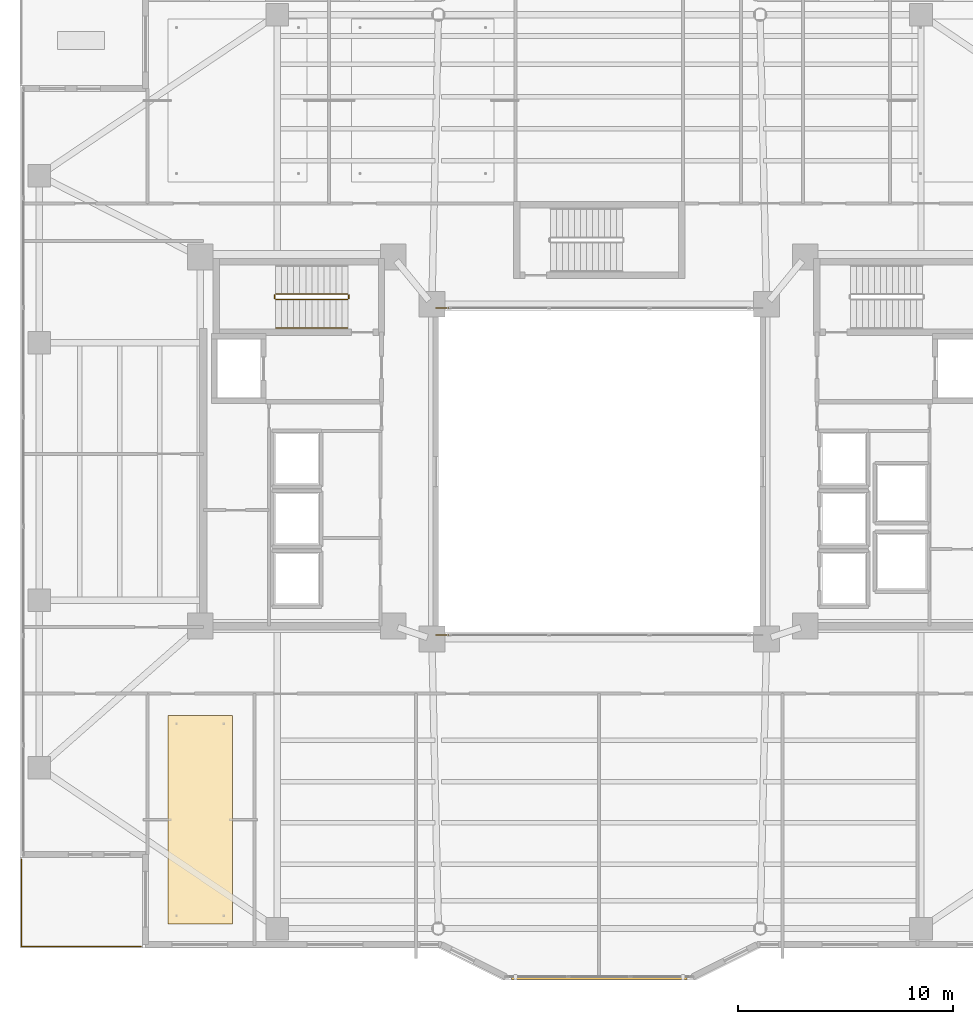
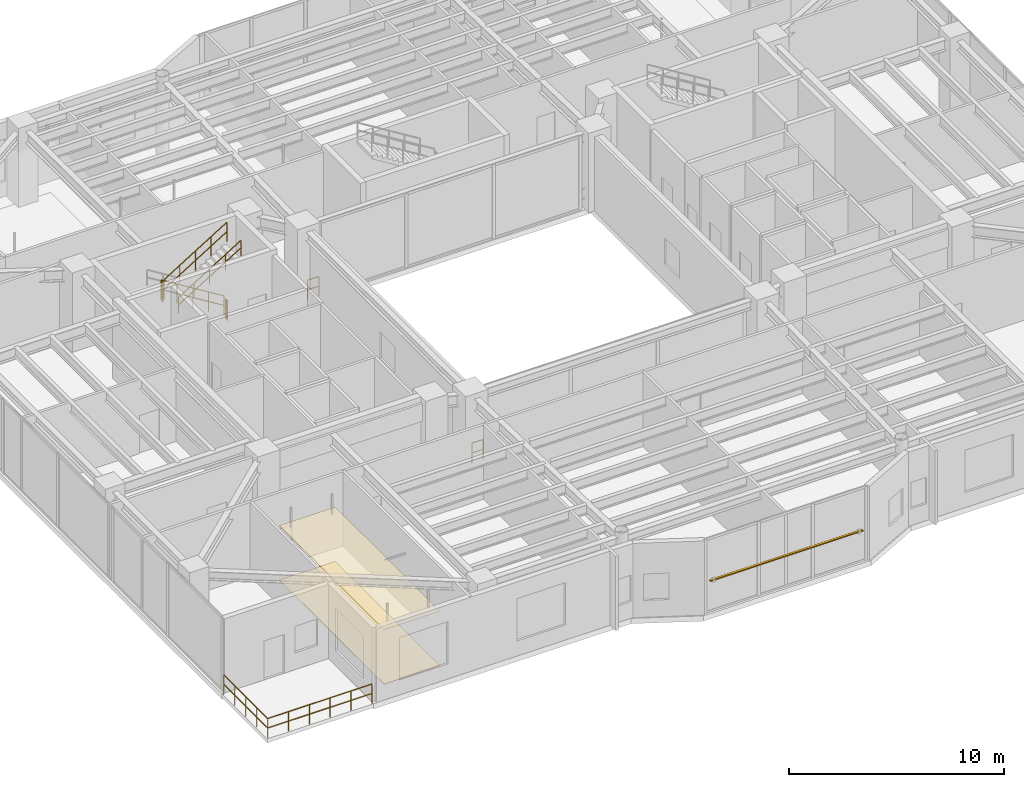
# One storey, part 35 of 38: 9 railings, 2 coverings, 1 shading device.
"""IFC4 building model written with IfcOpenShell, lengths in metres."""

import ifcopenshell
import ifcopenshell.guid

model = None  # the IFC model being written
_history = None  # IfcOwnerHistory: only IFC2X3 demands one
_inside = {}  # id of a spatial element -> (the spatial element, [elements in it])
_under = {}  # id of a project, library or spatial element -> (it, [spatial elements below it])
_declared = {}  # id of a project -> (the project, [libraries it declares])
_typed = {}  # id of a type object -> (the type object, [elements of that type])
_made_of = {}  # id of a material, layer set ... -> (it, [elements and type objects made of it])


def new_model(schema):
    """Start an empty IFC model of exactly this schema.

    Asked for "IFC4X3", IfcOpenShell would pick the latest addendum, in which some entities
    have other attributes; the version numbers below select the first issue.
    IFC2X3 requires an IfcOwnerHistory on every rooted entity: one is made here for all.
    """
    global model, _history
    if schema == "IFC4X3":
        model = ifcopenshell.file(schema_version=(4, 3, 0, 0))
    else:
        model = ifcopenshell.file(schema=schema)
    _inside.clear()
    _under.clear()
    _declared.clear()
    _typed.clear()
    _made_of.clear()
    _history = None
    if model.schema == "IFC2X3":
        org = make("IfcOrganization", Name="unknown")
        user = make(
            "IfcPersonAndOrganization",
            ThePerson=make("IfcPerson", FamilyName="unknown"),
            TheOrganization=org,
        )
        app = make(
            "IfcApplication",
            ApplicationDeveloper=org,
            Version="unknown",
            ApplicationFullName="unknown",
            ApplicationIdentifier="unknown",
        )
        _history = make(
            "IfcOwnerHistory",
            OwningUser=user,
            OwningApplication=app,
            ChangeAction="ADDED",
            CreationDate=0,
        )
    return model


def make(cls, **values):
    """One entity of the class cls with the attributes given. An attribute that is None is left unset."""
    return model.create_entity(
        cls, **{name: value for name, value in values.items() if value is not None}
    )


def rooted(cls, **values):
    """An entity with a GlobalId (a new one), such as an element, a storey or a relation."""
    return make(cls, GlobalId=ifcopenshell.guid.new(), OwnerHistory=_history, **values)


def si_unit(unit_type, name, prefix=None):
    """IfcSIUnit, for example si_unit("LENGTHUNIT", "METRE", prefix="MILLI")."""
    return make("IfcSIUnit", UnitType=unit_type, Prefix=prefix, Name=name)


def assignment(units):
    """IfcUnitAssignment: the units of a project."""
    return None if units is None else make("IfcUnitAssignment", Units=units)


def point(xyz):
    """IfcCartesianPoint."""
    return None if xyz is None else make("IfcCartesianPoint", Coordinates=xyz)


def direction(xyz):
    """IfcDirection."""
    return None if xyz is None else make("IfcDirection", DirectionRatios=xyz)


def frame(location, z_axis=None, x_axis=None):
    """IfcAxis2Placement3D, a coordinate frame: its origin and axes. An axis left out is left unset."""
    return make(
        "IfcAxis2Placement3D",
        Location=point(location),
        Axis=direction(z_axis),
        RefDirection=direction(x_axis),
    )


def frame_2d(location, x_axis=None):
    """IfcAxis2Placement2D, a coordinate frame in the plane: its origin and x axis."""
    return make(
        "IfcAxis2Placement2D", Location=point(location), RefDirection=direction(x_axis)
    )


def origin():
    """The frame at (0, 0, 0) with its axes left unset."""
    return frame((0.0, 0.0, 0.0))


def origin_2d():
    """The frame at (0, 0) in the plane with its x axis left unset."""
    return frame_2d((0.0, 0.0))


def place(relative_to, where):
    """IfcLocalPlacement: puts the frame where relative to a parent placement (None: the world)."""
    return make(
        "IfcLocalPlacement", PlacementRelTo=relative_to, RelativePlacement=where
    )


def context(
    kind, dimensions, precision=None, world=None, true_north=None, identifier=None
):
    """IfcGeometricRepresentationContext, for example the 3D "Model" context."""
    return make(
        "IfcGeometricRepresentationContext",
        ContextIdentifier=identifier,
        ContextType=kind,
        CoordinateSpaceDimension=dimensions,
        Precision=precision,
        WorldCoordinateSystem=world,
        TrueNorth=true_north,
    )


def subcontext(parent, identifier, kind, view, scale=None):
    """IfcGeometricRepresentationSubContext, for example "Body" below "Model"."""
    return make(
        "IfcGeometricRepresentationSubContext",
        ContextIdentifier=identifier,
        ContextType=kind,
        ParentContext=parent,
        TargetScale=scale,
        TargetView=view,
    )


def project(units=None, contexts=None):
    """IfcProject with its units and contexts."""
    return rooted(
        "IfcProject",
        Name="project",
        RepresentationContexts=contexts,
        UnitsInContext=assignment(units),
    )


def spatial(cls, under=None, at=None, **own):
    """A site, building, storey or space (cls), placed at a placement, below another one or the project."""
    s = rooted(cls, ObjectPlacement=at, **own)
    if under is not None:
        _under.setdefault(under.id(), (under, []))[1].append(s)
    return s


def polyline(points):
    """IfcPolyline through the points."""
    return make("IfcPolyline", Points=[point(p) for p in points])


def profile(cls, at=None, kind="AREA", **sizes):
    """A parametric profile (cls). Its sizes go by their IFC names, for example OverallWidth=200.0."""
    return make(cls, ProfileType=kind, Position=at, **sizes)


def rectangle(**sizes):
    """IfcRectangleProfileDef."""
    return profile("IfcRectangleProfileDef", **sizes)


def circle(**sizes):
    """IfcCircleProfileDef."""
    return profile("IfcCircleProfileDef", **sizes)


def outline(outer, holes=None, kind="AREA"):
    """IfcArbitraryClosedProfileDef: a profile drawn as a closed curve; with holes, ...WithVoids."""
    if holes is None:
        return make("IfcArbitraryClosedProfileDef", ProfileType=kind, OuterCurve=outer)
    return make(
        "IfcArbitraryProfileDefWithVoids",
        ProfileType=kind,
        OuterCurve=outer,
        InnerCurves=holes,
    )


def extrude(swept, where, along, depth):
    """IfcExtrudedAreaSolid: the profile swept, set in the frame where, extruded along a direction by depth."""
    return make(
        "IfcExtrudedAreaSolid",
        SweptArea=swept,
        Position=where,
        ExtrudedDirection=direction(along),
        Depth=depth,
    )


def shape(context_of_items, identifier, shape_type, items):
    """IfcShapeRepresentation: the items that make up one representation, for example the "Body"."""
    return make(
        "IfcShapeRepresentation",
        ContextOfItems=context_of_items,
        RepresentationIdentifier=identifier,
        RepresentationType=shape_type,
        Items=items,
    )


def material(Name=None, Category=None):
    """IfcMaterial."""
    return make("IfcMaterial", Name=Name, Category=Category)


def layer(
    of_material, thickness, ventilated=None, Name=None, Category=None, Priority=None
):
    """IfcMaterialLayer: one layer of a wall or slab, of a material (None: an air gap)."""
    return make(
        "IfcMaterialLayer",
        Material=of_material,
        LayerThickness=thickness,
        IsVentilated=ventilated,
        Name=Name,
        Category=Category,
        Priority=Priority,
    )


def layer_set(layers, Name=None):
    """IfcMaterialLayerSet."""
    return make("IfcMaterialLayerSet", MaterialLayers=layers, LayerSetName=Name)


def material_profile(
    of_material, cross_section, Name=None, Category=None, Priority=None
):
    """IfcMaterialProfile: a cross section and its material."""
    return make(
        "IfcMaterialProfile",
        Name=Name,
        Material=of_material,
        Profile=cross_section,
        Priority=Priority,
        Category=Category,
    )


def profile_set(profiles, Name=None, composite=None):
    """IfcMaterialProfileSet."""
    return make(
        "IfcMaterialProfileSet",
        Name=Name,
        MaterialProfiles=profiles,
        CompositeProfile=composite,
    )


def made_of(thing, what):
    """Note that an element or type object is made of a material, layer set ...; save() writes the relation."""
    if what is not None:
        _made_of.setdefault(what.id(), (what, []))[1].append(thing)
    return thing


def type_object(cls, material=None, **own):
    """A type object (cls), such as IfcWallType, which elements share."""
    return made_of(rooted(cls, **own), material)


def element(
    cls,
    number,
    at=None,
    inside=None,
    cuts=None,
    type_object=None,
    material=None,
    context=None,
    identifier="Body",
    shape_type=None,
    held_by="IfcProductDefinitionShape",
    body=None,
    shapes=None,
    **own,
):
    """One element of the class cls, such as IfcWall. Its Tag is "e" and its number.

    at: its placement. inside: the storey or other place that contains it. cuts: it is an
    opening in that element (IfcRelVoidsElement). A single representation is given by context,
    identifier, shape_type and body (its items); several are given by shapes. held_by: the class
    of the entity that holds the representations. save() writes the other relations.
    """
    e = rooted(cls, Tag="e%d" % number, ObjectPlacement=at, **own)
    if body is not None:
        shapes = [shape(context, identifier, shape_type, body)]
    if shapes is not None:
        e.Representation = make(held_by, Representations=shapes)
    if inside is not None:
        _inside.setdefault(inside.id(), (inside, []))[1].append(e)
    if cuts is not None:
        rooted(
            "IfcRelVoidsElement", RelatingBuildingElement=cuts, RelatedOpeningElement=e
        )
    if type_object is not None:
        _typed.setdefault(type_object.id(), (type_object, []))[1].append(e)
    return made_of(e, material)


def aggregate(whole, parts):
    """IfcRelAggregates: a whole, such as a stair, and the parts it consists of."""
    return rooted("IfcRelAggregates", RelatingObject=whole, RelatedObjects=parts)


def save(model, path):
    """Write the relations noted so far, then the file.

    IfcRelAggregates (storeys below a building ...), IfcRelContainedInSpatialStructure (elements
    in a storey), IfcRelDefinesByType, IfcRelAssociatesMaterial and IfcRelDeclares: one each for
    every whole, place, type object, material and project.
    """
    for whole, parts in _under.values():
        aggregate(whole, parts)
    for where, things in _inside.values():
        rooted(
            "IfcRelContainedInSpatialStructure",
            RelatedElements=things,
            RelatingStructure=where,
        )
    for kind, things in _typed.values():
        rooted("IfcRelDefinesByType", RelatedObjects=things, RelatingType=kind)
    for what, things in _made_of.values():
        rooted("IfcRelAssociatesMaterial", RelatedObjects=things, RelatingMaterial=what)
    for by, libraries in _declared.values():
        rooted("IfcRelDeclares", RelatingContext=by, RelatedDefinitions=libraries)
    model.write(path)


model = new_model("IFC4")

# Units and contexts
model_context = context("Model", 3, precision=1e-05, world=origin(), true_north=direction((0.0, 1.0)))
body_context = subcontext(model_context, "Body", "Model", "MODEL_VIEW")
ifc_project = project(units=[si_unit("LENGTHUNIT", "METRE"), si_unit("AREAUNIT", "SQUARE_METRE"), si_unit("VOLUMEUNIT", "CUBIC_METRE"), si_unit("PLANEANGLEUNIT", "RADIAN"), si_unit("MASSUNIT", "GRAM", prefix="KILO")], contexts=[model_context])

# Site, building, storey
site_placement = place(None, origin())
site = spatial("IfcSite", under=ifc_project, at=site_placement, CompositionType="ELEMENT")
building_placement = place(site_placement, origin())
building = spatial("IfcBuilding", under=site, at=building_placement, Name="Tarnavaz Court Tower", CompositionType="ELEMENT")
storey_placement = place(building_placement, frame((0.0, 0.0, 123.0)))
storey = spatial("IfcBuildingStorey", under=building, at=storey_placement, Name="L33", CompositionType="ELEMENT", Elevation=123.0)

# Coverings
ifc_material_1 = material(Name="Perforated Gypsum Acoustic Ceiling Tile", Category="masonry")
ifc_layer_1 = layer(ifc_material_1, 0.02490234375)
ifc_layer_set_1 = layer_set([ifc_layer_1], Name="Perforated Gypsum Acoustic Ceiling Tile")
covering_type_1 = type_object("IfcCoveringType", Name="CV-CEIL-AC", PredefinedType="CEILING", material=ifc_layer_set_1)
covering_1_placement = place(storey_placement, frame((0.0, 0.0, 3.080078125)))
element("IfcCovering", 1, at=covering_1_placement, inside=storey, type_object=covering_type_1, Name="L33 L33 Daycare Classroom Suspended Acoustic Ceiling", PredefinedType="CEILING", context=body_context, shape_type="SweptSolid", body=[
    extrude(outline(polyline([(-20.10009765625, -21.10009765625), (-17.10009765625, -21.10009765625), (-17.10009765625, -11.360107421875), (-20.10009765625, -11.360107421875), (-20.10009765625, -21.10009765625)])), origin(), (0.0, 0.0, 1.0), 0.02490234375),
])
ifc_material_2 = material(Name="Glazed Khorasan Porcelain Floor Tile", Category="masonry")
ifc_layer_2 = layer(ifc_material_2, 0.02001953125)
ifc_layer_set_2 = layer_set([ifc_layer_2], Name="Glazed Khorasan Porcelain Floor Tile")
covering_type_2 = type_object("IfcCoveringType", Name="CV-FLR-PORC", PredefinedType="FLOORING", material=ifc_layer_set_2)
covering_2_placement = place(storey_placement, origin())
element("IfcCovering", 2, at=covering_2_placement, inside=storey, type_object=covering_type_2, Name="L33 L33 Daycare Classroom Porcelain Floor Finish", PredefinedType="FLOORING", context=body_context, shape_type="SweptSolid", body=[
    extrude(outline(polyline([(-20.10009765625, -21.10009765625), (-17.10009765625, -21.10009765625), (-17.10009765625, -11.360107421875), (-20.10009765625, -11.360107421875), (-20.10009765625, -21.10009765625)])), origin(), (0.0, 0.0, 1.0), 0.02001953125),
])

# Railings
ifc_material_3 = material(Name="Anodised Aluminium 6063-T6 and Laminated Safety Glass", Category="aluminium")
railing_type_1 = type_object("IfcRailingType", Name="RL-BAL-1120", PredefinedType="BALUSTRADE", material=ifc_material_3)
railing_1_placement = place(storey_placement, frame((-7.6201171875, -7.6201171875, 0.0)))
element("IfcRailing", 3, at=railing_1_placement, inside=storey, type_object=railing_type_1, Name="L33 Courtyard Corner Balustrade S-A", PredefinedType="BALUSTRADE", context=body_context, shape_type="SweptSolid", body=[
    extrude(circle(Radius=0.02392578125, at=origin_2d()), frame((0.0, 0.0, 1.1259765625), z_axis=(1.0, 0.0, 0.0), x_axis=(0.0, 1.0, 0.0)), (0.0, 0.0, 1.0), 0.60009765625),
    extrude(circle(Radius=0.02392578125, at=origin_2d()), frame((0.0, 0.0, 0.574951171875), z_axis=(1.0, 0.0, 0.0), x_axis=(0.0, 1.0, 0.0)), (0.0, 0.0, 1.0), 0.60009765625),
    extrude(circle(Radius=0.02099609375, at=origin_2d()), origin(), (0.0, 0.0, 1.0), 1.101806640625),
    extrude(circle(Radius=0.02099609375, at=origin_2d()), frame((0.60009765625, 0.0, 0.0)), (0.0, 0.0, 1.0), 1.101806640625),
])
railing_2_placement = place(storey_placement, frame((-7.02001953125, 7.6201171875, 0.0)))
element("IfcRailing", 4, at=railing_2_placement, inside=storey, type_object=railing_type_1, Name="L33 Courtyard Corner Balustrade N-B", PredefinedType="BALUSTRADE", context=body_context, shape_type="SweptSolid", body=[
    extrude(circle(Radius=0.02392578125, at=origin_2d()), frame((0.0, 0.0, 1.1259765625), z_axis=(-1.0, 0.0, 0.0), x_axis=(0.0, -1.0, 0.0)), (0.0, 0.0, 1.0), 0.60009765625),
    extrude(circle(Radius=0.02392578125, at=origin_2d()), frame((0.0, 0.0, 0.574951171875), z_axis=(-1.0, 0.0, 0.0), x_axis=(0.0, -1.0, 0.0)), (0.0, 0.0, 1.0), 0.60009765625),
    extrude(circle(Radius=0.02099609375, at=origin_2d()), origin(), (0.0, 0.0, 1.0), 1.101806640625),
    extrude(circle(Radius=0.02099609375, at=origin_2d()), frame((-0.60009765625, 0.0, 0.0)), (0.0, 0.0, 1.0), 1.101806640625),
])
railing_3_placement = place(storey_placement, frame((-26.93994140625, -22.139892578125, 0.0)))
element("IfcRailing", 5, at=railing_3_placement, inside=storey, type_object=railing_type_1, Name="L33 Terrace 4 S Perimeter Balustrade", PredefinedType="BALUSTRADE", context=body_context, shape_type="SweptSolid", body=[
    extrude(circle(Radius=0.02392578125, at=origin_2d()), frame((0.0, 0.0, 1.09619140625), z_axis=(1.0, 0.0, 0.0), x_axis=(0.0, 1.0, 0.0)), (0.0, 0.0, 1.0), 5.579833984375),
    extrude(circle(Radius=0.02392578125, at=origin_2d()), frame((0.0, 0.0, 0.56005859375), z_axis=(1.0, 0.0, 0.0), x_axis=(0.0, 1.0, 0.0)), (0.0, 0.0, 1.0), 5.579833984375),
    extrude(circle(Radius=0.02099609375, at=origin_2d()), origin(), (0.0, 0.0, 1.0), 1.072021484375),
    extrude(circle(Radius=0.02099609375, at=origin_2d()), frame((1.115966796875, 0.0, 0.0)), (0.0, 0.0, 1.0), 1.072021484375),
    extrude(circle(Radius=0.02099609375, at=origin_2d()), frame((2.23193359375, 0.0, 0.0)), (0.0, 0.0, 1.0), 1.072021484375),
    extrude(circle(Radius=0.02099609375, at=origin_2d()), frame((3.347900390625, 0.0, 0.0)), (0.0, 0.0, 1.0), 1.072021484375),
    extrude(circle(Radius=0.02099609375, at=origin_2d()), frame((4.4638671875, 0.0, 0.0)), (0.0, 0.0, 1.0), 1.072021484375),
    extrude(circle(Radius=0.02099609375, at=origin_2d()), frame((5.579833984375, 0.0, 0.0)), (0.0, 0.0, 1.0), 1.072021484375),
])
railing_4_placement = place(storey_placement, frame((-26.93994140625, -18.06005859375, 0.0)))
element("IfcRailing", 6, at=railing_4_placement, inside=storey, type_object=railing_type_1, Name="L33 Terrace 4 W Perimeter Balustrade", PredefinedType="BALUSTRADE", context=body_context, shape_type="SweptSolid", body=[
    extrude(circle(Radius=0.02392578125, at=origin_2d()), frame((0.0, 0.0, 1.09619140625), z_axis=(0.0, -1.0, 0.0), x_axis=(1.0, 0.0, 0.0)), (0.0, 0.0, 1.0), 4.079833984375),
    extrude(circle(Radius=0.02392578125, at=origin_2d()), frame((0.0, 0.0, 0.56005859375), z_axis=(0.0, -1.0, 0.0), x_axis=(1.0, 0.0, 0.0)), (0.0, 0.0, 1.0), 4.079833984375),
    extrude(circle(Radius=0.02099609375, at=origin_2d()), origin(), (0.0, 0.0, 1.0), 1.072021484375),
    extrude(circle(Radius=0.02099609375, at=origin_2d()), frame((0.0, -1.02001953125, 0.0)), (0.0, 0.0, 1.0), 1.072021484375),
    extrude(circle(Radius=0.02099609375, at=origin_2d()), frame((0.0, -2.0400390625, 0.0)), (0.0, 0.0, 1.0), 1.072021484375),
    extrude(circle(Radius=0.02099609375, at=origin_2d()), frame((0.0, -3.059814453125, 0.0)), (0.0, 0.0, 1.0), 1.072021484375),
    extrude(circle(Radius=0.02099609375, at=origin_2d()), frame((0.0, -4.079833984375, 0.0)), (0.0, 0.0, 1.0), 1.072021484375),
])
ifc_material_4 = material(Name="Brushed Stainless Steel", Category="steel")
railing_type_2 = type_object("IfcRailingType", Name="RL-HANDRAIL-900", PredefinedType="HANDRAIL", material=ifc_material_4)
railing_5_placement = place(storey_placement, frame((-15.080078125, 6.699951171875, 2.423095703125)))
element("IfcRailing", 7, at=railing_5_placement, inside=storey, type_object=railing_type_2, Name="L33 ST-W1 stair handrail 2", PredefinedType="HANDRAIL", context=body_context, shape_type="SweptSolid", body=[
    extrude(circle(Radius=0.02392578125, at=origin_2d()), frame((0.0, 0.0, 0.8759765625), z_axis=(0.850623216509, 0.0, 0.525775754039), x_axis=(0.0, 1.0, 0.0)), (0.0, 0.0, 1.0), 3.9501953125),
    extrude(circle(Radius=0.02392578125, at=origin_2d()), frame((0.0, 0.0, 0.449951171875), z_axis=(0.850623216509, 0.0, 0.525775754039), x_axis=(0.0, 1.0, 0.0)), (0.0, 0.0, 1.0), 3.9501953125),
    extrude(circle(Radius=0.02099609375, at=origin_2d()), origin(), (0.0, 0.0, 1.0), 0.851806640625),
    extrude(circle(Radius=0.02099609375, at=origin_2d()), frame((0.840087890625, 0.0, 0.519287109375)), (0.0, 0.0, 1.0), 0.851806640625),
    extrude(circle(Radius=0.02099609375, at=origin_2d()), frame((1.68017578125, 0.0, 1.03857421875)), (0.0, 0.0, 1.0), 0.851806640625),
    extrude(circle(Radius=0.02099609375, at=origin_2d()), frame((2.52001953125, 0.0, 1.5576171875)), (0.0, 0.0, 1.0), 0.851806640625),
    extrude(circle(Radius=0.02099609375, at=origin_2d()), frame((3.360107421875, 0.0, 2.076904296875)), (0.0, 0.0, 1.0), 0.851806640625),
])
ifc_material_5 = material(Name="Galvanized Painted Tubular Steel", Category="steel")
railing_type_3 = type_object("IfcRailingType", Name="RL-STGUARD-1120", PredefinedType="GUARDRAIL", material=ifc_material_5)
railing_6_placement = place(storey_placement, frame((-11.719970703125, 8.27001953125, 0.173095703125)))
element("IfcRailing", 8, at=railing_6_placement, inside=storey, type_object=railing_type_3, Name="L33 ST-W1 stair guard 1", PredefinedType="GUARDRAIL", context=body_context, shape_type="SweptSolid", body=[
    extrude(circle(Radius=0.02392578125, at=origin_2d()), frame((0.0, 0.0, 1.09619140625), z_axis=(-0.850623216509, 0.0, 0.525775754039), x_axis=(0.0, -1.0, 0.0)), (0.0, 0.0, 1.0), 3.9501953125),
    extrude(circle(Radius=0.02392578125, at=origin_2d()), frame((0.0, 0.0, 0.56005859375), z_axis=(-0.850623216509, 0.0, 0.525775754039), x_axis=(0.0, -1.0, 0.0)), (0.0, 0.0, 1.0), 3.9501953125),
    extrude(circle(Radius=0.02099609375, at=origin_2d()), origin(), (0.0, 0.0, 1.0), 1.072021484375),
    extrude(circle(Radius=0.02099609375, at=origin_2d()), frame((-0.840087890625, 0.0, 0.519287109375)), (0.0, 0.0, 1.0), 1.072021484375),
    extrude(circle(Radius=0.02099609375, at=origin_2d()), frame((-1.68017578125, 0.0, 1.03857421875)), (0.0, 0.0, 1.0), 1.072021484375),
    extrude(circle(Radius=0.02099609375, at=origin_2d()), frame((-2.52001953125, 0.0, 1.5576171875)), (0.0, 0.0, 1.0), 1.072021484375),
    extrude(circle(Radius=0.02099609375, at=origin_2d()), frame((-3.360107421875, 0.0, 2.076904296875)), (0.0, 0.0, 1.0), 1.072021484375),
])
railing_7_placement = place(storey_placement, frame((-15.1298828125, 8.219970703125, 2.25)))
element("IfcRailing", 9, at=railing_7_placement, inside=storey, type_object=railing_type_3, Name="L33 ST-W1 stair guard 2", PredefinedType="GUARDRAIL", context=body_context, shape_type="SweptSolid", body=[
    extrude(circle(Radius=0.02392578125, at=origin_2d()), frame((0.0, 0.0, 1.09619140625), z_axis=(0.0, -1.0, 0.0), x_axis=(1.0, 0.0, 0.0)), (0.0, 0.0, 1.0), 0.14990234375),
    extrude(circle(Radius=0.02392578125, at=origin_2d()), frame((0.0, 0.0, 0.56005859375), z_axis=(0.0, -1.0, 0.0), x_axis=(1.0, 0.0, 0.0)), (0.0, 0.0, 1.0), 0.14990234375),
    extrude(circle(Radius=0.02099609375, at=origin_2d()), origin(), (0.0, 0.0, 1.0), 1.072021484375),
    extrude(circle(Radius=0.02099609375, at=origin_2d()), frame((0.0, -0.14990234375, 0.0)), (0.0, 0.0, 1.0), 1.072021484375),
])
railing_8_placement = place(storey_placement, frame((-15.080078125, 8.02001953125, 2.423095703125)))
element("IfcRailing", 10, at=railing_8_placement, inside=storey, type_object=railing_type_3, Name="L33 ST-W1 stair guard 3", PredefinedType="GUARDRAIL", context=body_context, shape_type="SweptSolid", body=[
    extrude(circle(Radius=0.02392578125, at=origin_2d()), frame((0.0, 0.0, 1.09619140625), z_axis=(0.850623216509, 0.0, 0.525775754039), x_axis=(0.0, 1.0, 0.0)), (0.0, 0.0, 1.0), 3.9501953125),
    extrude(circle(Radius=0.02392578125, at=origin_2d()), frame((0.0, 0.0, 0.56005859375), z_axis=(0.850623216509, 0.0, 0.525775754039), x_axis=(0.0, 1.0, 0.0)), (0.0, 0.0, 1.0), 3.9501953125),
    extrude(circle(Radius=0.02099609375, at=origin_2d()), origin(), (0.0, 0.0, 1.0), 1.072021484375),
    extrude(circle(Radius=0.02099609375, at=origin_2d()), frame((0.840087890625, 0.0, 0.519287109375)), (0.0, 0.0, 1.0), 1.072021484375),
    extrude(circle(Radius=0.02099609375, at=origin_2d()), frame((1.68017578125, 0.0, 1.03857421875)), (0.0, 0.0, 1.0), 1.072021484375),
    extrude(circle(Radius=0.02099609375, at=origin_2d()), frame((2.52001953125, 0.0, 1.5576171875)), (0.0, 0.0, 1.0), 1.072021484375),
    extrude(circle(Radius=0.02099609375, at=origin_2d()), frame((3.360107421875, 0.0, 2.076904296875)), (0.0, 0.0, 1.0), 1.072021484375),
])
railing_9_placement = place(storey_placement, frame((-11.669921875, 8.219970703125, 0.0)))
element("IfcRailing", 11, at=railing_9_placement, inside=storey, type_object=railing_type_3, Name="L33 ST-W1 stair guard 4", PredefinedType="GUARDRAIL", context=body_context, shape_type="SweptSolid", body=[
    extrude(circle(Radius=0.02392578125, at=origin_2d()), frame((0.0, 0.0, 1.09619140625), z_axis=(0.0, -1.0, 0.0), x_axis=(1.0, 0.0, 0.0)), (0.0, 0.0, 1.0), 0.14990234375),
    extrude(circle(Radius=0.02392578125, at=origin_2d()), frame((0.0, 0.0, 0.56005859375), z_axis=(0.0, -1.0, 0.0), x_axis=(1.0, 0.0, 0.0)), (0.0, 0.0, 1.0), 0.14990234375),
    extrude(circle(Radius=0.02099609375, at=origin_2d()), origin(), (0.0, 0.0, 1.0), 1.072021484375),
    extrude(circle(Radius=0.02099609375, at=origin_2d()), frame((0.0, -0.14990234375, 0.0)), (0.0, 0.0, 1.0), 1.072021484375),
])

# Shading device
ifc_material_6 = material(Name="Kiln-Fired Khorasan Terracotta Ceramic", Category="masonry")
ifc_material_profile = material_profile(ifc_material_6, rectangle(XDim=0.1201171875, YDim=0.06005859375, at=origin_2d()), Name="TC BAGUETTE 120X60")
ifc_profile_set = profile_set([ifc_material_profile], Name="Kiln-Fired Khorasan Terracotta Ceramic")
shading_device_type = type_object("IfcShadingDeviceType", Name="SD-BAG-120", PredefinedType="USERDEFINED", material=ifc_profile_set)
shading_device_placement = place(storey_placement, frame((4.10009765625, -23.610107421875, 1.800048828125), z_axis=(-1.0, 0.0, 0.0), x_axis=(0.0, -1.0, 0.0)))
element("IfcShadingDevice", 12, at=shading_device_placement, inside=storey, type_object=shading_device_type, Name="L33 Terracotta Baguette Screen PBG17", ObjectType="BAGUETTE", PredefinedType="USERDEFINED", context=body_context, shape_type="SweptSolid", body=[
    extrude(rectangle(XDim=0.1201171875, YDim=0.06005859375, at=origin_2d()), origin(), (0.0, 0.0, 1.0), 8.2001953125),
])

save(model, "model.ifc")
